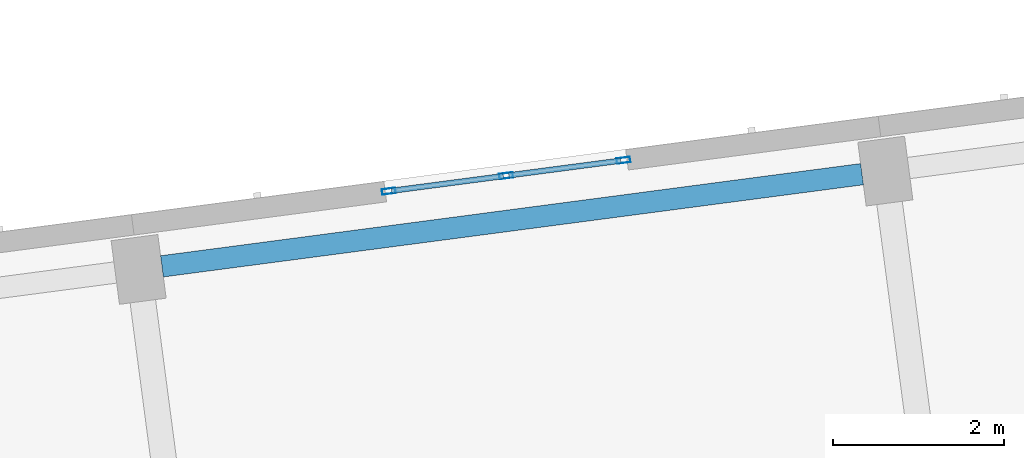
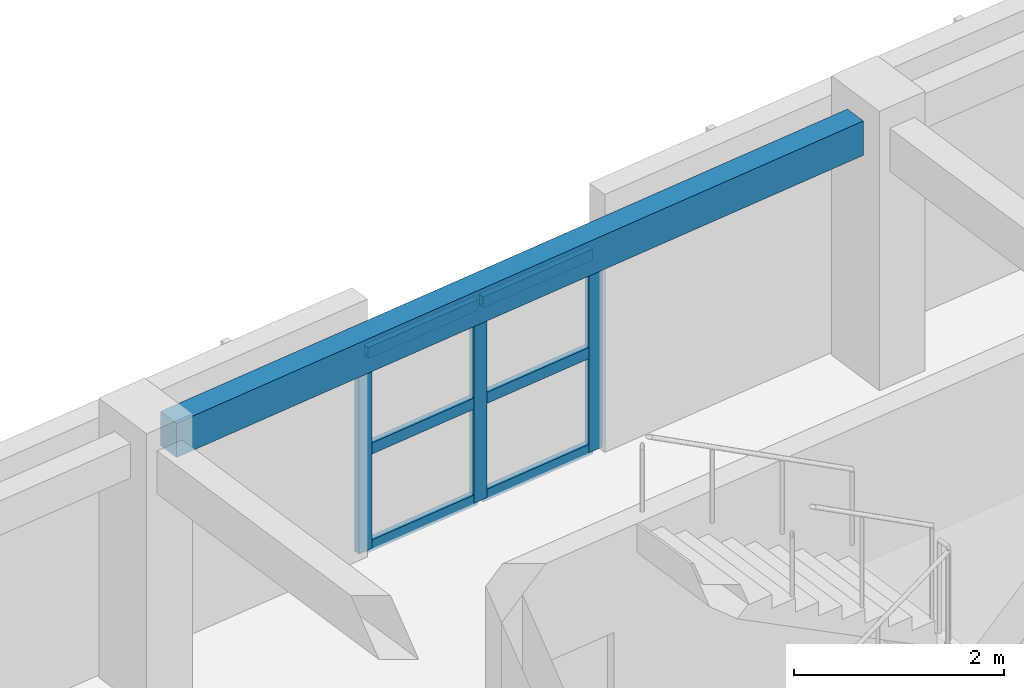
# One storey, part 2 of 65: 9 members, 1 beam, 1 element without a shape of its own.
"""IFC4 building model written with IfcOpenShell, lengths in metres."""

from ifc_helpers import new_model, si_unit, direction, frame, origin, origin_2d, place, context, subcontext, project, spatial, rectangle, hollow_rectangle, extrude, material, material_profile, profile_set, type_object, element, aggregate, save


model = new_model("IFC4")

# Units and contexts
model_context = context("Model", 3, precision=1e-05, world=origin(), true_north=direction((0.0, 1.0)))
body_context = subcontext(model_context, "Body", "Model", "MODEL_VIEW")
ifc_project = project(units=[si_unit("LENGTHUNIT", "METRE"), si_unit("AREAUNIT", "SQUARE_METRE"), si_unit("VOLUMEUNIT", "CUBIC_METRE"), si_unit("PLANEANGLEUNIT", "RADIAN"), si_unit("MASSUNIT", "GRAM", prefix="KILO")], contexts=[model_context])

# Site, building, storey
site_placement = place(None, origin())
site = spatial("IfcSite", under=ifc_project, at=site_placement, CompositionType="ELEMENT")
building_placement = place(site_placement, origin())
building = spatial("IfcBuilding", under=site, at=building_placement, Name="Kestramere Prow Commons", CompositionType="ELEMENT")
storey_placement = place(building_placement, frame((0.0, 0.0, 21.39990234375)))
storey = spatial("IfcBuildingStorey", under=building, at=storey_placement, Name="L06", CompositionType="ELEMENT", Elevation=21.39990234375)

# Curtain wall, members
ifc_material_1 = material(Name="Anodised Aluminium and Low-E Glass", Category="aluminium")
curtain_wall_type = type_object("IfcCurtainWallType", Name="CW-03 Glazed Curtain Wall 2830x2320", PredefinedType="USERDEFINED", material=ifc_material_1)
curtain_wall_placement = place(storey_placement, origin())
curtain_wall = element("IfcCurtainWall", 1, at=curtain_wall_placement, inside=storey, type_object=curtain_wall_type, Name="Block A L06 Stairwell Vertical Glazing 2", ObjectType="GLAZED CURTAIN WALL", PredefinedType="USERDEFINED")
ifc_material_2 = material(Name="Anodised Aluminium 6063-T6", Category="aluminium")
ifc_material_profile_1 = material_profile(ifc_material_2, hollow_rectangle(XDim=0.06494140625, YDim=0.159912109375, WallThickness=0.00390625, at=origin_2d()), Name="ALU-MUL 65x160")
ifc_profile_set_1 = profile_set([ifc_material_profile_1], Name="Anodised Aluminium 6063-T6")
member_type_1 = type_object("IfcMemberType", Name="CW-MUL-65x160", PredefinedType="MULLION", material=ifc_profile_set_1)
member_1_placement = place(storey_placement, frame((20.2373046875, 93.891845703125, 0.0), z_axis=(0.0, 0.0, 1.0), x_axis=(-0.13052614723, 0.991444867297, 0.0)))
member_1 = element("IfcMember", 2, at=member_1_placement, type_object=member_type_1, Name="CW-03 mullion 1", PredefinedType="MULLION", context=body_context, shape_type="SweptSolid", body=[
    extrude(hollow_rectangle(XDim=0.06494140625, YDim=0.159912109375, WallThickness=0.00390625, at=origin_2d()), origin(), (0.0, 0.0, 1.0), 2.320068359375),
])
member_2_placement = place(storey_placement, frame((21.60791015625, 94.072265625, 0.0), z_axis=(0.0, 0.0, 1.0), x_axis=(-0.13052614723, 0.991444867297, 0.0)))
member_2 = element("IfcMember", 3, at=member_2_placement, type_object=member_type_1, Name="CW-03 mullion 2", PredefinedType="MULLION", context=body_context, shape_type="SweptSolid", body=[
    extrude(hollow_rectangle(XDim=0.06494140625, YDim=0.159912109375, WallThickness=0.00390625, at=origin_2d()), origin(), (0.0, 0.0, 1.0), 2.320068359375),
])
member_3_placement = place(storey_placement, frame((22.978759765625, 94.252685546875, 0.0), z_axis=(0.0, 0.0, 1.0), x_axis=(-0.13052614723, 0.991444867297, 0.0)))
member_3 = element("IfcMember", 4, at=member_3_placement, type_object=member_type_1, Name="CW-03 mullion 3", PredefinedType="MULLION", context=body_context, shape_type="SweptSolid", body=[
    extrude(hollow_rectangle(XDim=0.06494140625, YDim=0.159912109375, WallThickness=0.00390625, at=origin_2d()), origin(), (0.0, 0.0, 1.0), 2.320068359375),
])
ifc_material_profile_2 = material_profile(ifc_material_2, hollow_rectangle(XDim=0.06494140625, YDim=0.1298828125, WallThickness=0.00390625, at=origin_2d()), Name="ALU-TRN 65x130")
ifc_profile_set_2 = profile_set([ifc_material_profile_2], Name="Anodised Aluminium 6063-T6")
member_type_2 = type_object("IfcMemberType", Name="CW-TRN-65x130", PredefinedType="USERDEFINED", material=ifc_profile_set_2)
member_4_placement = place(storey_placement, frame((20.26953125, 93.896240234375, 0.03271484375), z_axis=(0.991453033969, 0.130464100171, 0.0), x_axis=(-0.130464100171, 0.991453033969, 0.0)))
member_4 = element("IfcMember", 5, at=member_4_placement, type_object=member_type_2, Name="CW-03 transom 1.1", ObjectType="TRANSOM", PredefinedType="USERDEFINED", context=body_context, shape_type="SweptSolid", body=[
    extrude(hollow_rectangle(XDim=0.06494140625, YDim=0.1298828125, WallThickness=0.00390625, at=origin_2d()), origin(), (0.0, 0.0, 1.0), 1.3173828125),
])
member_5_placement = place(storey_placement, frame((20.26953125, 93.896240234375, 1.16015625), z_axis=(0.991453033969, 0.130464100171, 0.0), x_axis=(-0.130464100171, 0.991453033969, 0.0)))
member_5 = element("IfcMember", 6, at=member_5_placement, type_object=member_type_2, Name="CW-03 transom 1.2", ObjectType="TRANSOM", PredefinedType="USERDEFINED", context=body_context, shape_type="SweptSolid", body=[
    extrude(hollow_rectangle(XDim=0.06494140625, YDim=0.1298828125, WallThickness=0.00390625, at=origin_2d()), origin(), (0.0, 0.0, 1.0), 1.3173828125),
])
member_6_placement = place(storey_placement, frame((20.26953125, 93.896240234375, 2.28759765625), z_axis=(0.991453033969, 0.130464100171, 0.0), x_axis=(-0.130464100171, 0.991453033969, 0.0)))
member_6 = element("IfcMember", 7, at=member_6_placement, type_object=member_type_2, Name="CW-03 transom 1.3", ObjectType="TRANSOM", PredefinedType="USERDEFINED", context=body_context, shape_type="SweptSolid", body=[
    extrude(hollow_rectangle(XDim=0.06494140625, YDim=0.1298828125, WallThickness=0.00390625, at=origin_2d()), origin(), (0.0, 0.0, 1.0), 1.3173828125),
])
member_7_placement = place(storey_placement, frame((21.64013671875, 94.07666015625, 0.03271484375), z_axis=(0.991456187381, 0.130440133791, 0.0), x_axis=(-0.130440133791, 0.991456187381, 0.0)))
member_7 = element("IfcMember", 8, at=member_7_placement, type_object=member_type_2, Name="CW-03 transom 2.1", ObjectType="TRANSOM", PredefinedType="USERDEFINED", context=body_context, shape_type="SweptSolid", body=[
    extrude(hollow_rectangle(XDim=0.06494140625, YDim=0.1298828125, WallThickness=0.00390625, at=origin_2d()), origin(), (0.0, 0.0, 1.0), 1.317626953125),
])
member_8_placement = place(storey_placement, frame((21.64013671875, 94.07666015625, 1.16015625), z_axis=(0.991456187381, 0.130440133791, 0.0), x_axis=(-0.130440133791, 0.991456187381, 0.0)))
member_8 = element("IfcMember", 9, at=member_8_placement, type_object=member_type_2, Name="CW-03 transom 2.2", ObjectType="TRANSOM", PredefinedType="USERDEFINED", context=body_context, shape_type="SweptSolid", body=[
    extrude(hollow_rectangle(XDim=0.06494140625, YDim=0.1298828125, WallThickness=0.00390625, at=origin_2d()), origin(), (0.0, 0.0, 1.0), 1.317626953125),
])
member_9_placement = place(storey_placement, frame((21.64013671875, 94.07666015625, 2.28759765625), z_axis=(0.991456187381, 0.130440133791, 0.0), x_axis=(-0.130440133791, 0.991456187381, 0.0)))
member_9 = element("IfcMember", 10, at=member_9_placement, type_object=member_type_2, Name="CW-03 transom 2.3", ObjectType="TRANSOM", PredefinedType="USERDEFINED", context=body_context, shape_type="SweptSolid", body=[
    extrude(hollow_rectangle(XDim=0.06494140625, YDim=0.1298828125, WallThickness=0.00390625, at=origin_2d()), origin(), (0.0, 0.0, 1.0), 1.317626953125),
])
aggregate(curtain_wall, [member_1, member_2, member_3, member_4, member_5, member_6, member_7, member_8, member_9])

# Beam
ifc_material_3 = material(Name="Precast concrete C40/50", Category="concrete")
ifc_material_profile_3 = material_profile(ifc_material_3, rectangle(XDim=0.25, YDim=0.39990234375, at=origin_2d()), Name="PC-SP 250x400")
ifc_profile_set_3 = profile_set([ifc_material_profile_3], Name="Precast concrete C40/50")
beam_type = type_object("IfcBeamType", Name="SP-EXT-01 PC-SP 250x400", PredefinedType="SPANDREL", material=ifc_profile_set_3)
beam_placement = place(storey_placement, frame((17.5869140625, 93.013427734375, 2.800048828125), z_axis=(0.991443917843, 0.130533358852, 0.0), x_axis=(-0.130533358852, 0.991443917843, 0.0)))
element("IfcBeam", 11, at=beam_placement, inside=storey, type_object=beam_type, Name="Block A L06 Longitudinal Beam 4-2", PredefinedType="SPANDREL", context=body_context, shape_type="SweptSolid", body=[
    extrude(rectangle(XDim=0.25, YDim=0.39990234375, at=origin_2d()), origin(), (0.0, 0.0, 1.0), 8.25),
])

save(model, "model.ifc")
